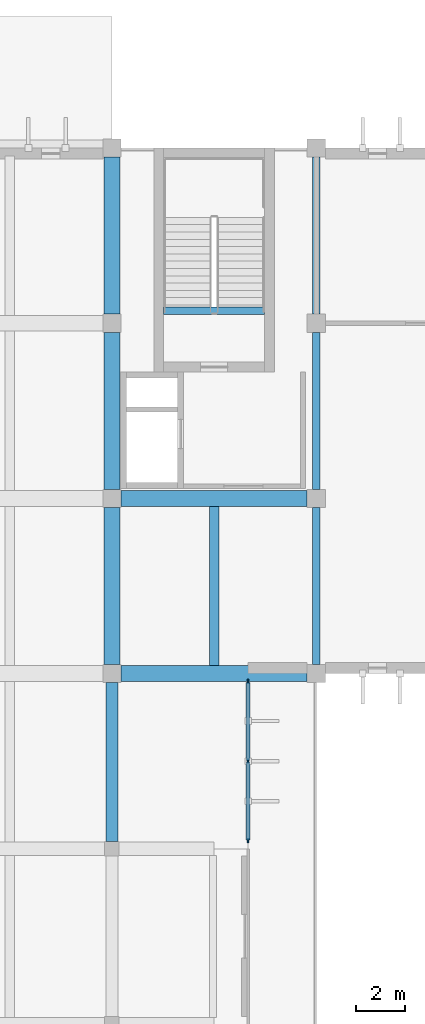
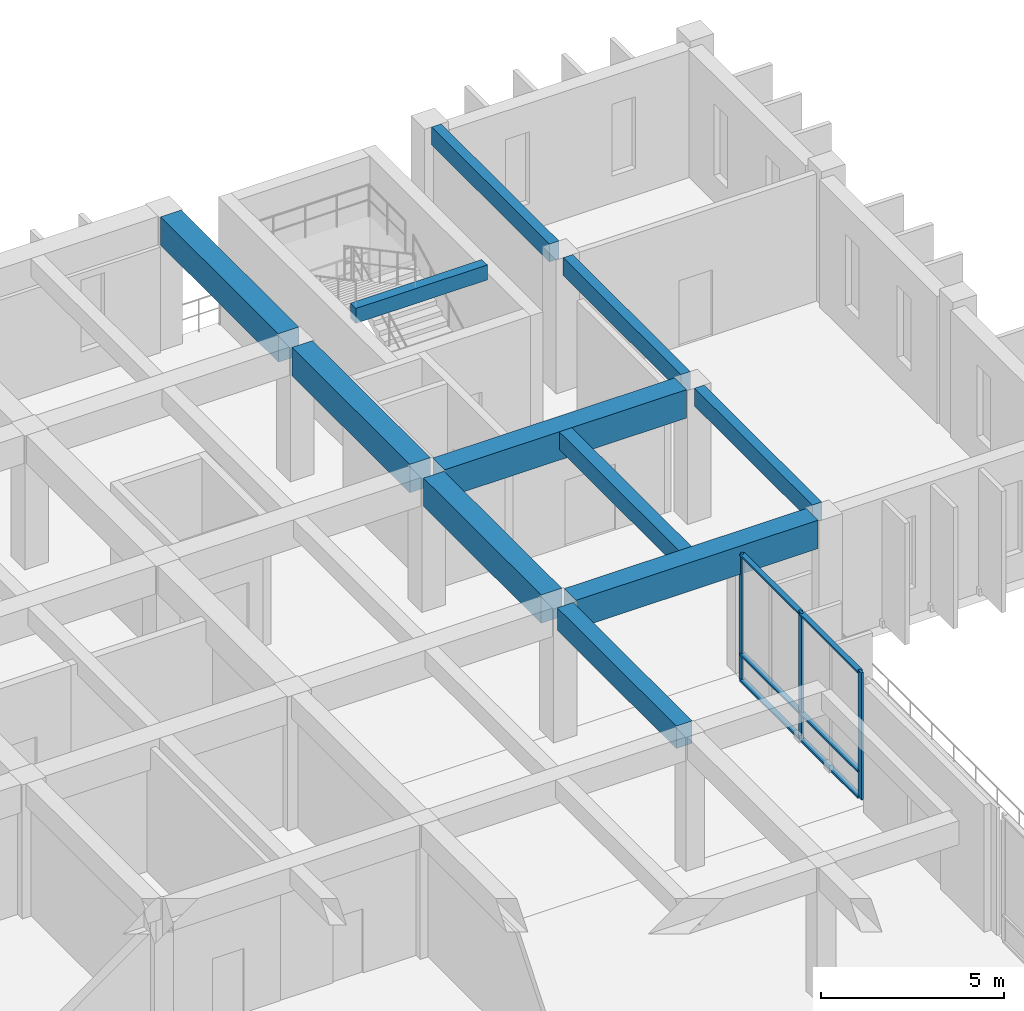
# One storey, part 12 of 23: 11 beams, 9 members, 1 element without a shape of its own.
"""IFC4 building model written with IfcOpenShell, lengths in metres."""

from ifc_helpers import new_model, si_unit, direction, frame, origin, origin_2d, place, context, subcontext, project, spatial, rectangle, extrude, material, material_profile, profile_set, type_object, element, aggregate, save


model = new_model("IFC4")

# Units and contexts
model_context = context("Model", 3, precision=1e-05, world=origin(), true_north=direction((0.0, 1.0)))
body_context = subcontext(model_context, "Body", "Model", "MODEL_VIEW")
ifc_project = project(units=[si_unit("LENGTHUNIT", "METRE"), si_unit("AREAUNIT", "SQUARE_METRE"), si_unit("VOLUMEUNIT", "CUBIC_METRE"), si_unit("PLANEANGLEUNIT", "RADIAN"), si_unit("MASSUNIT", "GRAM", prefix="KILO")], contexts=[model_context])

# Site, building, storey
site_placement = place(None, origin())
site = spatial("IfcSite", under=ifc_project, at=site_placement, CompositionType="ELEMENT")
building_placement = place(site_placement, origin())
building = spatial("IfcBuilding", under=site, at=building_placement, Name="Kenerak Square Central Library", CompositionType="ELEMENT")
storey_placement = place(building_placement, frame((0.0, 0.0, 18.8798828125)))
storey = spatial("IfcBuildingStorey", under=building, at=storey_placement, Name="L04", CompositionType="ELEMENT", Elevation=18.8798828125)

# Beams
ifc_material_1 = material(Name="Concrete C45/55", Category="concrete")
ifc_material_profile_1 = material_profile(ifc_material_1, rectangle(XDim=0.64990234375, YDim=0.949951171875, at=origin_2d()), Name="RC 650x950")
ifc_profile_set_1 = profile_set([ifc_material_profile_1], Name="Concrete C45/55")
beam_type_1 = type_object("IfcBeamType", Name="Book Stack Girder B-02 RC 650x950 C45/55", PredefinedType="BEAM", material=ifc_profile_set_1)
for number, where, z_axis, x_axis, name in (
    (1, (109.175048828125, 88.800048828125, 4.005126953125), (1.0, 0.0, 0.0), (0.0, 1.0, 0.0), "Beam B-02 L04 1558"),
    (2, (109.175048828125, 96.0, 4.005126953125), (1.0, 0.0, 0.0), (0.0, 1.0, 0.0), "Beam B-02 L04 1565"),
):
    element("IfcBeam", number, at=place(storey_placement, frame(where, z_axis=z_axis, x_axis=x_axis)), inside=storey, type_object=beam_type_1, Name=name, PredefinedType="BEAM", context=body_context, shape_type="SweptSolid", body=[
        extrude(rectangle(XDim=0.64990234375, YDim=0.949951171875, at=origin_2d()), origin(), (0.0, 0.0, 1.0), 7.64990234375),
    ])
for number, where, z_axis, x_axis, name in (
    (3, (108.800048828125, 89.175048828125, 4.005126953125), (0.0, 1.0, 0.0), (-1.0, 0.0, 0.0), "Beam B-02 L04 1613"),
    (4, (108.800048828125, 96.375, 4.005126953125), (0.0, 1.0, 0.0), (-1.0, 0.0, 0.0), "Beam B-02 L04 1614"),
    (5, (108.800048828125, 103.574951171875, 4.005126953125), (0.0, 1.0, 0.0), (-1.0, 0.0, 0.0), "Beam B-02 L04 1615"),
):
    element("IfcBeam", number, at=place(storey_placement, frame(where, z_axis=z_axis, x_axis=x_axis)), inside=storey, type_object=beam_type_1, Name=name, PredefinedType="BEAM", context=body_context, shape_type="SweptSolid", body=[
        extrude(rectangle(XDim=0.64990234375, YDim=0.949951171875, at=origin_2d()), origin(), (0.0, 0.0, 1.0), 6.449951171875),
    ])
ifc_material_2 = material(Name="Concrete C40/50", Category="concrete")
ifc_material_profile_2 = material_profile(ifc_material_2, rectangle(XDim=0.300048828125, YDim=0.60009765625, at=origin_2d()), Name="RC 300x600")
ifc_profile_set_2 = profile_set([ifc_material_profile_2], Name="Concrete C40/50")
beam_type_2 = type_object("IfcBeamType", Name="Courtyard Spandrel Beam SP-02 RC 300x600 C40/50", PredefinedType="SPANDREL", material=ifc_profile_set_2)
for number, where, z_axis, x_axis, name in (
    (6, (117.199951171875, 89.175048828125, 4.18017578125), (0.0, 1.0, 0.0), (-1.0, 0.0, 0.0), "Beam SP-02 L04 1616"),
    (7, (117.199951171875, 96.375, 4.18017578125), (0.0, 1.0, 0.0), (-1.0, 0.0, 0.0), "Beam SP-02 L04 1617"),
    (8, (117.199951171875, 103.574951171875, 4.18017578125), (0.0, 1.0, 0.0), (-1.0, 0.0, 0.0), "Beam SP-02 L04 1618"),
):
    element("IfcBeam", number, at=place(storey_placement, frame(where, z_axis=z_axis, x_axis=x_axis)), inside=storey, type_object=beam_type_2, Name=name, PredefinedType="SPANDREL", context=body_context, shape_type="SweptSolid", body=[
        extrude(rectangle(XDim=0.300048828125, YDim=0.60009765625, at=origin_2d()), origin(), (0.0, 0.0, 1.0), 6.449951171875),
    ])

# Curtain wall, members
ifc_material_3 = material(Name="Anodised aluminium and solar-control low-E glazing", Category="aluminium")
curtain_wall_type = type_object("IfcCurtainWallType", Name="Curtain Wall CW-V4-66x42 6600x4255", PredefinedType="USERDEFINED", material=ifc_material_3)
curtain_wall_placement = place(storey_placement, origin())
curtain_wall = element("IfcCurtainWall", 9, at=curtain_wall_placement, inside=storey, type_object=curtain_wall_type, Name="Curtain Wall CW-V4-66x42 L04 0147", ObjectType="CURTAIN WALL", PredefinedType="USERDEFINED")
ifc_material_4 = material(Name="Anodised aluminium 6063-T6", Category="aluminium")
ifc_material_profile_3 = material_profile(ifc_material_4, rectangle(XDim=0.06494140625, YDim=0.179931640625, at=origin_2d()), Name="AL MULLION 65x180")
ifc_profile_set_3 = profile_set([ifc_material_profile_3], Name="Anodised aluminium 6063-T6")
member_type_1 = type_object("IfcMemberType", Name="Curtain Mullion CM-01 65x180", PredefinedType="MULLION", material=ifc_profile_set_3)
member_1_placement = place(storey_placement, frame((114.39990234375, 88.467529296875, 0.0), z_axis=(0.0, 0.0, 1.0), x_axis=(1.0, 0.0, 0.0)))
member_1 = element("IfcMember", 10, at=member_1_placement, type_object=member_type_1, Name="CW-V4-66x42 Mullion 1", PredefinedType="MULLION", context=body_context, shape_type="SweptSolid", body=[
    extrude(rectangle(XDim=0.06494140625, YDim=0.179931640625, at=origin_2d()), origin(), (0.0, 0.0, 1.0), 4.255126953125),
])
member_2_placement = place(storey_placement, frame((114.39990234375, 85.199951171875, 0.0), z_axis=(0.0, 0.0, 1.0), x_axis=(1.0, 0.0, 0.0)))
member_2 = element("IfcMember", 11, at=member_2_placement, type_object=member_type_1, Name="CW-V4-66x42 Mullion 2", PredefinedType="MULLION", context=body_context, shape_type="SweptSolid", body=[
    extrude(rectangle(XDim=0.06494140625, YDim=0.179931640625, at=origin_2d()), origin(), (0.0, 0.0, 1.0), 4.255126953125),
])
member_3_placement = place(storey_placement, frame((114.39990234375, 81.9326171875, 0.0), z_axis=(0.0, 0.0, 1.0), x_axis=(1.0, 0.0, 0.0)))
member_3 = element("IfcMember", 12, at=member_3_placement, type_object=member_type_1, Name="CW-V4-66x42 Mullion 3", PredefinedType="MULLION", context=body_context, shape_type="SweptSolid", body=[
    extrude(rectangle(XDim=0.06494140625, YDim=0.179931640625, at=origin_2d()), origin(), (0.0, 0.0, 1.0), 4.255126953125),
])
ifc_material_profile_4 = material_profile(ifc_material_4, rectangle(XDim=0.159912109375, YDim=0.06494140625, at=origin_2d()), Name="AL TRANSOM 160x65")
ifc_profile_set_4 = profile_set([ifc_material_profile_4], Name="Anodised aluminium 6063-T6")
member_type_2 = type_object("IfcMemberType", Name="Curtain Transom CT-11 160x65", PredefinedType="USERDEFINED", material=ifc_profile_set_4)
member_4_placement = place(storey_placement, frame((114.39990234375, 88.43505859375, 0.03271484375), z_axis=(0.0, -1.0, 0.0), x_axis=(1.0, 0.0, 0.0)))
member_4 = element("IfcMember", 13, at=member_4_placement, type_object=member_type_2, Name="CW-V4-66x42 Transom 1.1", ObjectType="TRANSOM", PredefinedType="USERDEFINED", context=body_context, shape_type="SweptSolid", body=[
    extrude(rectangle(XDim=0.159912109375, YDim=0.06494140625, at=origin_2d()), origin(), (0.0, 0.0, 1.0), 3.20263671875),
])
member_5_placement = place(storey_placement, frame((114.39990234375, 88.43505859375, 0.900146484375), z_axis=(0.0, -1.0, 0.0), x_axis=(1.0, 0.0, 0.0)))
member_5 = element("IfcMember", 14, at=member_5_placement, type_object=member_type_2, Name="CW-V4-66x42 Transom 1.2", ObjectType="TRANSOM", PredefinedType="USERDEFINED", context=body_context, shape_type="SweptSolid", body=[
    extrude(rectangle(XDim=0.159912109375, YDim=0.06494140625, at=origin_2d()), origin(), (0.0, 0.0, 1.0), 3.20263671875),
])
member_6_placement = place(storey_placement, frame((114.39990234375, 88.43505859375, 4.22265625), z_axis=(0.0, -1.0, 0.0), x_axis=(1.0, 0.0, 0.0)))
member_6 = element("IfcMember", 15, at=member_6_placement, type_object=member_type_2, Name="CW-V4-66x42 Transom 1.3", ObjectType="TRANSOM", PredefinedType="USERDEFINED", context=body_context, shape_type="SweptSolid", body=[
    extrude(rectangle(XDim=0.159912109375, YDim=0.06494140625, at=origin_2d()), origin(), (0.0, 0.0, 1.0), 3.20263671875),
])
member_7_placement = place(storey_placement, frame((114.39990234375, 85.16748046875, 0.03271484375), z_axis=(0.0, -1.0, 0.0), x_axis=(1.0, 0.0, 0.0)))
member_7 = element("IfcMember", 16, at=member_7_placement, type_object=member_type_2, Name="CW-V4-66x42 Transom 2.1", ObjectType="TRANSOM", PredefinedType="USERDEFINED", context=body_context, shape_type="SweptSolid", body=[
    extrude(rectangle(XDim=0.159912109375, YDim=0.06494140625, at=origin_2d()), origin(), (0.0, 0.0, 1.0), 3.202392578125),
])
member_8_placement = place(storey_placement, frame((114.39990234375, 85.16748046875, 0.900146484375), z_axis=(0.0, -1.0, 0.0), x_axis=(1.0, 0.0, 0.0)))
member_8 = element("IfcMember", 17, at=member_8_placement, type_object=member_type_2, Name="CW-V4-66x42 Transom 2.2", ObjectType="TRANSOM", PredefinedType="USERDEFINED", context=body_context, shape_type="SweptSolid", body=[
    extrude(rectangle(XDim=0.159912109375, YDim=0.06494140625, at=origin_2d()), origin(), (0.0, 0.0, 1.0), 3.202392578125),
])
member_9_placement = place(storey_placement, frame((114.39990234375, 85.16748046875, 4.22265625), z_axis=(0.0, -1.0, 0.0), x_axis=(1.0, 0.0, 0.0)))
member_9 = element("IfcMember", 18, at=member_9_placement, type_object=member_type_2, Name="CW-V4-66x42 Transom 2.3", ObjectType="TRANSOM", PredefinedType="USERDEFINED", context=body_context, shape_type="SweptSolid", body=[
    extrude(rectangle(XDim=0.159912109375, YDim=0.06494140625, at=origin_2d()), origin(), (0.0, 0.0, 1.0), 3.202392578125),
])
aggregate(curtain_wall, [member_1, member_2, member_3, member_4, member_5, member_6, member_7, member_8, member_9])

# Beams
ifc_material_profile_5 = material_profile(ifc_material_2, rectangle(XDim=0.300048828125, YDim=0.5, at=origin_2d()), Name="RC 300x500")
ifc_profile_set_5 = profile_set([ifc_material_profile_5], Name="Concrete C40/50")
beam_type_3 = type_object("IfcBeamType", Name="Landing Support Beam B-08 RC 300x500 C40/50", PredefinedType="BEAM", material=ifc_profile_set_5)
beam_1_placement = place(storey_placement, frame((110.919921875, 103.7099609375, 4.230224609375), z_axis=(1.0, 0.0, 0.0), x_axis=(0.0, 1.0, 0.0)))
element("IfcBeam", 19, at=beam_1_placement, inside=storey, type_object=beam_type_3, Name="Stair Threshold Beam B-08 ST-03 L05", PredefinedType="BEAM", context=body_context, shape_type="SweptSolid", body=[
    extrude(rectangle(XDim=0.300048828125, YDim=0.5, at=origin_2d()), origin(), (0.0, 0.0, 1.0), 4.16015625),
])
ifc_material_profile_6 = material_profile(ifc_material_2, rectangle(XDim=0.39990234375, YDim=0.60009765625, at=origin_2d()), Name="RC 400x600")
ifc_profile_set_6 = profile_set([ifc_material_profile_6], Name="Concrete C40/50")
beam_type_4 = type_object("IfcBeamType", Name="Secondary Floor Joist J-01 RC 400x600 C40/50", PredefinedType="JOIST", material=ifc_profile_set_6)
beam_2_placement = place(storey_placement, frame((113.0, 89.125, 4.18017578125), z_axis=(0.0, 1.0, 0.0), x_axis=(-1.0, 0.0, 0.0)))
element("IfcBeam", 20, at=beam_2_placement, inside=storey, type_object=beam_type_4, Name="Joist J-01 L04 1645", PredefinedType="JOIST", context=body_context, shape_type="SweptSolid", body=[
    extrude(rectangle(XDim=0.39990234375, YDim=0.60009765625, at=origin_2d()), origin(), (0.0, 0.0, 1.0), 6.550048828125),
])
ifc_material_profile_7 = material_profile(ifc_material_2, rectangle(XDim=0.5, YDim=0.75, at=origin_2d()), Name="RC 500x750")
ifc_profile_set_7 = profile_set([ifc_material_profile_7], Name="Concrete C40/50")
beam_type_5 = type_object("IfcBeamType", Name="Transverse Frame Beam B-05 RC 500x750 C40/50", PredefinedType="BEAM", material=ifc_profile_set_7)
beam_3_placement = place(storey_placement, frame((108.800048828125, 81.89990234375, 4.105224609375), z_axis=(0.0, 1.0, 0.0), x_axis=(-1.0, 0.0, 0.0)))
element("IfcBeam", 21, at=beam_3_placement, inside=storey, type_object=beam_type_5, Name="Beam B-05 L04 1612", PredefinedType="BEAM", context=body_context, shape_type="SweptSolid", body=[
    extrude(rectangle(XDim=0.5, YDim=0.75, at=origin_2d()), origin(), (0.0, 0.0, 1.0), 6.525146484375),
])

save(model, "model.ifc")
